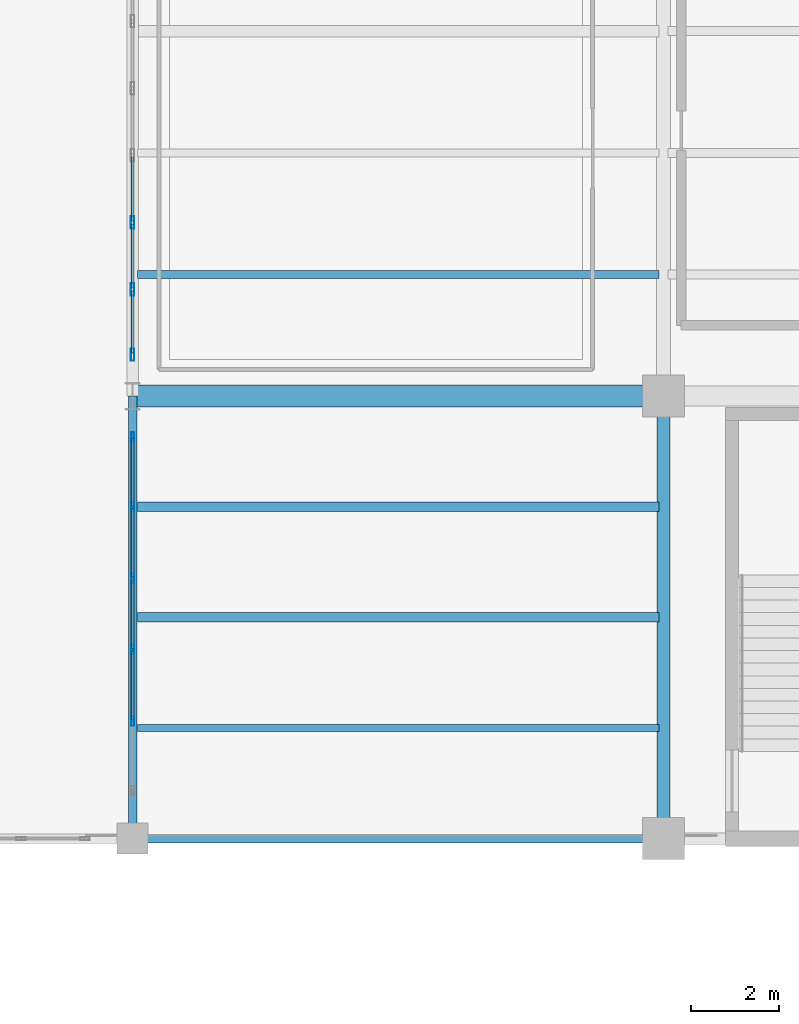
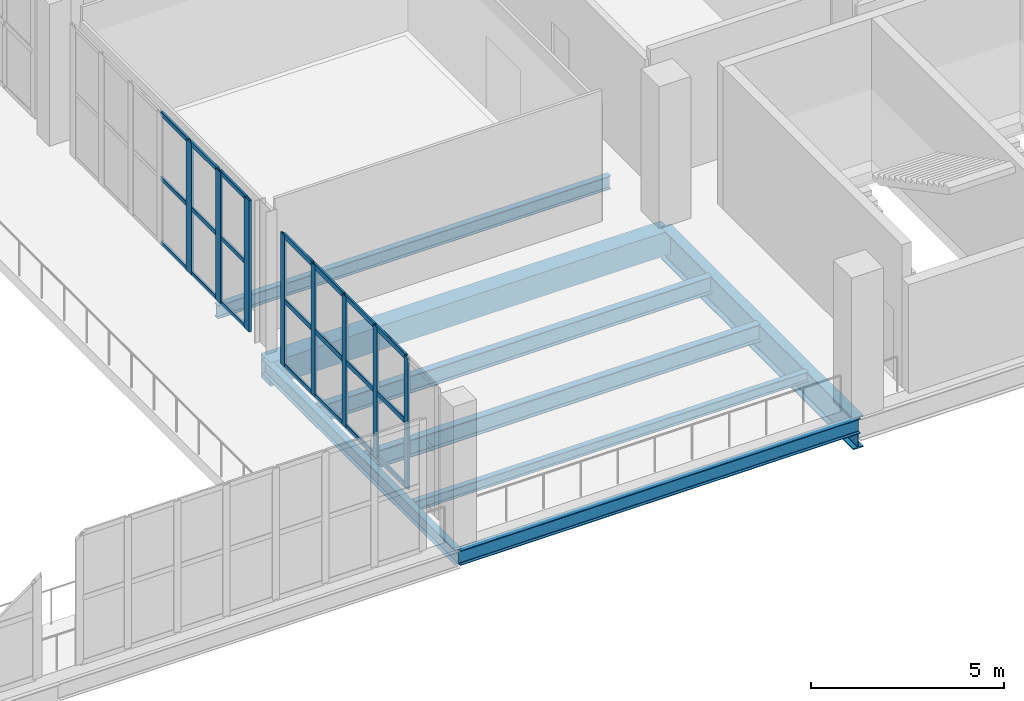
# One storey, part 7 of 90: 29 members, 8 beams, 2 elements without a shape of their own.
"""IFC4 building model written with IfcOpenShell, lengths in metres."""

from ifc_helpers import new_model, si_unit, direction, frame, origin, origin_2d, place, context, subcontext, project, spatial, rectangle, hollow_rectangle, i_section, extrude, material, layer, layer_set, material_profile, profile_set, type_object, element, aggregate, save


model = new_model("IFC4")

# Units and contexts
model_context = context("Model", 3, precision=1e-05, world=origin(), true_north=direction((0.0, 1.0)))
body_context = subcontext(model_context, "Body", "Model", "MODEL_VIEW")
ifc_project = project(units=[si_unit("LENGTHUNIT", "METRE"), si_unit("AREAUNIT", "SQUARE_METRE"), si_unit("VOLUMEUNIT", "CUBIC_METRE"), si_unit("PLANEANGLEUNIT", "RADIAN"), si_unit("MASSUNIT", "GRAM", prefix="KILO")], contexts=[model_context])

# Site, building, storey
site_placement = place(None, origin())
site = spatial("IfcSite", under=ifc_project, at=site_placement, CompositionType="ELEMENT")
building_placement = place(site_placement, origin())
building = spatial("IfcBuilding", under=site, at=building_placement, Name="Brinegate Civic Arena", CompositionType="ELEMENT")
storey_placement = place(building_placement, frame((0.0, 0.0, 14.699951171875)))
storey = spatial("IfcBuildingStorey", under=building, at=storey_placement, Name="L03", CompositionType="ELEMENT", Elevation=14.699951171875)

# Curtain wall, members
ifc_material_1 = material(Name="Marine grade aluminium", Category="aluminium")
ifc_layer = layer(ifc_material_1, 0.199951171875, Name="Marine grade aluminium")
ifc_layer_set = layer_set([ifc_layer], Name="Marine grade aluminium")
curtain_wall_type = type_object("IfcCurtainWallType", Name="CW-BOWL-GLAZED-01", PredefinedType="USERDEFINED", material=ifc_layer_set)
curtain_wall_1_placement = place(storey_placement, origin())
curtain_wall_1 = element("IfcCurtainWall", 1, at=curtain_wall_1_placement, inside=storey, type_object=curtain_wall_type, Name="Curtain Wall CWA-105", ObjectType="GLAZED CURTAIN WALL", PredefinedType="USERDEFINED")
ifc_material_profile_1 = material_profile(ifc_material_1, hollow_rectangle(XDim=0.06494140625, YDim=0.219970703125, WallThickness=0.006103515625, InnerFilletRadius=0.00390625, OuterFilletRadius=0.008056640625, at=origin_2d()), Name="MUL65X220")
ifc_profile_set_1 = profile_set([ifc_material_profile_1], Name="Marine grade aluminium")
member_type_1 = type_object("IfcMemberType", Name="CW-MULLION-65X220", PredefinedType="MULLION", material=ifc_profile_set_1)
member_1_placement = place(storey_placement, frame((48.0, 12.65673828125, 0.0), z_axis=(0.0, 0.0, 1.0), x_axis=(-1.0, 0.0, 0.0)))
member_1 = element("IfcMember", 2, at=member_1_placement, type_object=member_type_1, Name="CWA-105 mullion 2", PredefinedType="MULLION", context=body_context, shape_type="SweptSolid", body=[
    extrude(hollow_rectangle(XDim=0.06494140625, YDim=0.219970703125, WallThickness=0.006103515625, InnerFilletRadius=0.00390625, OuterFilletRadius=0.008056640625, at=origin_2d()), origin(), (0.0, 0.0, 1.0), 4.16015625),
])
member_2_placement = place(storey_placement, frame((48.0, 14.2685546875, 0.0), z_axis=(0.0, 0.0, 1.0), x_axis=(-1.0, 0.0, 0.0)))
member_2 = element("IfcMember", 3, at=member_2_placement, type_object=member_type_1, Name="CWA-105 mullion 3", PredefinedType="MULLION", context=body_context, shape_type="SweptSolid", body=[
    extrude(hollow_rectangle(XDim=0.06494140625, YDim=0.219970703125, WallThickness=0.006103515625, InnerFilletRadius=0.00390625, OuterFilletRadius=0.008056640625, at=origin_2d()), origin(), (0.0, 0.0, 1.0), 4.16015625),
])
member_3_placement = place(storey_placement, frame((48.0, 15.88037109375, 0.0), z_axis=(0.0, 0.0, 1.0), x_axis=(-1.0, 0.0, 0.0)))
member_3 = element("IfcMember", 4, at=member_3_placement, type_object=member_type_1, Name="CWA-105 mullion 4", PredefinedType="MULLION", context=body_context, shape_type="SweptSolid", body=[
    extrude(hollow_rectangle(XDim=0.06494140625, YDim=0.219970703125, WallThickness=0.006103515625, InnerFilletRadius=0.00390625, OuterFilletRadius=0.008056640625, at=origin_2d()), origin(), (0.0, 0.0, 1.0), 4.16015625),
])
member_4_placement = place(storey_placement, frame((48.0, 17.4921875, 0.0), z_axis=(0.0, 0.0, 1.0), x_axis=(-1.0, 0.0, 0.0)))
member_4 = element("IfcMember", 5, at=member_4_placement, type_object=member_type_1, Name="CWA-105 mullion 5", PredefinedType="MULLION", context=body_context, shape_type="SweptSolid", body=[
    extrude(hollow_rectangle(XDim=0.06494140625, YDim=0.219970703125, WallThickness=0.006103515625, InnerFilletRadius=0.00390625, OuterFilletRadius=0.008056640625, at=origin_2d()), origin(), (0.0, 0.0, 1.0), 4.16015625),
])
member_5_placement = place(storey_placement, frame((48.0, 19.071533203125, 0.0), z_axis=(0.0, 0.0, 1.0), x_axis=(-1.0, 0.0, 0.0)))
member_5 = element("IfcMember", 6, at=member_5_placement, type_object=member_type_1, Name="CWA-105 mullion 6", PredefinedType="MULLION", context=body_context, shape_type="SweptSolid", body=[
    extrude(hollow_rectangle(XDim=0.06494140625, YDim=0.219970703125, WallThickness=0.006103515625, InnerFilletRadius=0.00390625, OuterFilletRadius=0.008056640625, at=origin_2d()), origin(), (0.0, 0.0, 1.0), 4.16015625),
])

curtain_wall_2_placement = place(storey_placement, origin())
curtain_wall_2 = element("IfcCurtainWall", 7, at=curtain_wall_2_placement, inside=storey, type_object=curtain_wall_type, Name="Curtain Wall CWA-107", ObjectType="GLAZED CURTAIN WALL", PredefinedType="USERDEFINED")
ifc_material_profile_2 = material_profile(ifc_material_1, hollow_rectangle(XDim=0.080078125, YDim=0.280029296875, WallThickness=0.007080078125, InnerFilletRadius=0.0048828125, OuterFilletRadius=0.010009765625, at=origin_2d()), Name="MUL80X280")
ifc_profile_set_2 = profile_set([ifc_material_profile_2], Name="Marine grade aluminium")
member_type_2 = type_object("IfcMemberType", Name="CW-MULLION-80X280", PredefinedType="MULLION", material=ifc_profile_set_2)
member_6_placement = place(storey_placement, frame((48.0, 20.93603515625, 0.0), z_axis=(0.0, 0.0, 1.0), x_axis=(-1.0, 0.0, 0.0)))
member_6 = element("IfcMember", 8, at=member_6_placement, type_object=member_type_2, Name="CWA-107 mullion 1", PredefinedType="MULLION", context=body_context, shape_type="SweptSolid", body=[
    extrude(hollow_rectangle(XDim=0.080078125, YDim=0.280029296875, WallThickness=0.007080078125, InnerFilletRadius=0.0048828125, OuterFilletRadius=0.010009765625, at=origin_2d()), origin(), (0.0, 0.0, 1.0), 4.16015625),
])
member_7_placement = place(storey_placement, frame((48.0, 22.41162109375, 0.0), z_axis=(0.0, 0.0, 1.0), x_axis=(-1.0, 0.0, 0.0)))
member_7 = element("IfcMember", 9, at=member_7_placement, type_object=member_type_2, Name="CWA-107 mullion 2", PredefinedType="MULLION", context=body_context, shape_type="SweptSolid", body=[
    extrude(hollow_rectangle(XDim=0.080078125, YDim=0.280029296875, WallThickness=0.007080078125, InnerFilletRadius=0.0048828125, OuterFilletRadius=0.010009765625, at=origin_2d()), origin(), (0.0, 0.0, 1.0), 4.16015625),
])
member_8_placement = place(storey_placement, frame((48.0, 23.92724609375, 0.0), z_axis=(0.0, 0.0, 1.0), x_axis=(-1.0, 0.0, 0.0)))
member_8 = element("IfcMember", 10, at=member_8_placement, type_object=member_type_2, Name="CWA-107 mullion 3", PredefinedType="MULLION", context=body_context, shape_type="SweptSolid", body=[
    extrude(hollow_rectangle(XDim=0.080078125, YDim=0.280029296875, WallThickness=0.007080078125, InnerFilletRadius=0.0048828125, OuterFilletRadius=0.010009765625, at=origin_2d()), origin(), (0.0, 0.0, 1.0), 4.16015625),
])
ifc_material_profile_3 = material_profile(ifc_material_1, hollow_rectangle(XDim=0.06494140625, YDim=0.139892578125, WallThickness=0.0048828125, InnerFilletRadius=0.00390625, OuterFilletRadius=0.008056640625, at=origin_2d()), Name="TRN65X140")
ifc_profile_set_3 = profile_set([ifc_material_profile_3], Name="Marine grade aluminium")
member_type_3 = type_object("IfcMemberType", Name="CW-TRANSOM-65X140", PredefinedType="USERDEFINED", material=ifc_profile_set_3)
member_9_placement = place(storey_placement, frame((48.0, 20.97607421875, 0.032470703125), z_axis=(0.0, 1.0, 0.0), x_axis=(-1.0, 0.0, 0.0)))
member_9 = element("IfcMember", 11, at=member_9_placement, type_object=member_type_3, Name="CWA-107 transom 1.1", ObjectType="TRANSOM", PredefinedType="USERDEFINED", context=body_context, shape_type="SweptSolid", body=[
    extrude(hollow_rectangle(XDim=0.06494140625, YDim=0.139892578125, WallThickness=0.0048828125, InnerFilletRadius=0.00390625, OuterFilletRadius=0.008056640625, at=origin_2d()), origin(), (0.0, 0.0, 1.0), 1.3955078125),
])
member_10_placement = place(storey_placement, frame((48.0, 20.97607421875, 2.080078125), z_axis=(0.0, 1.0, 0.0), x_axis=(-1.0, 0.0, 0.0)))
member_10 = element("IfcMember", 12, at=member_10_placement, type_object=member_type_3, Name="CWA-107 transom 1.2", ObjectType="TRANSOM", PredefinedType="USERDEFINED", context=body_context, shape_type="SweptSolid", body=[
    extrude(hollow_rectangle(XDim=0.06494140625, YDim=0.139892578125, WallThickness=0.0048828125, InnerFilletRadius=0.00390625, OuterFilletRadius=0.008056640625, at=origin_2d()), origin(), (0.0, 0.0, 1.0), 1.3955078125),
])
member_11_placement = place(storey_placement, frame((48.0, 20.97607421875, 4.12744140625), z_axis=(0.0, 1.0, 0.0), x_axis=(-1.0, 0.0, 0.0)))
member_11 = element("IfcMember", 13, at=member_11_placement, type_object=member_type_3, Name="CWA-107 transom 1.3", ObjectType="TRANSOM", PredefinedType="USERDEFINED", context=body_context, shape_type="SweptSolid", body=[
    extrude(hollow_rectangle(XDim=0.06494140625, YDim=0.139892578125, WallThickness=0.0048828125, InnerFilletRadius=0.00390625, OuterFilletRadius=0.008056640625, at=origin_2d()), origin(), (0.0, 0.0, 1.0), 1.3955078125),
])
member_12_placement = place(storey_placement, frame((48.0, 22.45166015625, 0.032470703125), z_axis=(0.0, 1.0, 0.0), x_axis=(-1.0, 0.0, 0.0)))
member_12 = element("IfcMember", 14, at=member_12_placement, type_object=member_type_3, Name="CWA-107 transom 2.1", ObjectType="TRANSOM", PredefinedType="USERDEFINED", context=body_context, shape_type="SweptSolid", body=[
    extrude(hollow_rectangle(XDim=0.06494140625, YDim=0.139892578125, WallThickness=0.0048828125, InnerFilletRadius=0.00390625, OuterFilletRadius=0.008056640625, at=origin_2d()), origin(), (0.0, 0.0, 1.0), 1.435791015625),
])
member_13_placement = place(storey_placement, frame((48.0, 22.45166015625, 2.080078125), z_axis=(0.0, 1.0, 0.0), x_axis=(-1.0, 0.0, 0.0)))
member_13 = element("IfcMember", 15, at=member_13_placement, type_object=member_type_3, Name="CWA-107 transom 2.2", ObjectType="TRANSOM", PredefinedType="USERDEFINED", context=body_context, shape_type="SweptSolid", body=[
    extrude(hollow_rectangle(XDim=0.06494140625, YDim=0.139892578125, WallThickness=0.0048828125, InnerFilletRadius=0.00390625, OuterFilletRadius=0.008056640625, at=origin_2d()), origin(), (0.0, 0.0, 1.0), 1.435791015625),
])
member_14_placement = place(storey_placement, frame((48.0, 22.45166015625, 4.12744140625), z_axis=(0.0, 1.0, 0.0), x_axis=(-1.0, 0.0, 0.0)))
member_14 = element("IfcMember", 16, at=member_14_placement, type_object=member_type_3, Name="CWA-107 transom 2.3", ObjectType="TRANSOM", PredefinedType="USERDEFINED", context=body_context, shape_type="SweptSolid", body=[
    extrude(hollow_rectangle(XDim=0.06494140625, YDim=0.139892578125, WallThickness=0.0048828125, InnerFilletRadius=0.00390625, OuterFilletRadius=0.008056640625, at=origin_2d()), origin(), (0.0, 0.0, 1.0), 1.435791015625),
])
member_15_placement = place(storey_placement, frame((48.0, 23.96728515625, 0.032470703125), z_axis=(0.0, 1.0, 0.0), x_axis=(-1.0, 0.0, 0.0)))
member_15 = element("IfcMember", 17, at=member_15_placement, type_object=member_type_3, Name="CWA-107 transom 3.1", ObjectType="TRANSOM", PredefinedType="USERDEFINED", context=body_context, shape_type="SweptSolid", body=[
    extrude(hollow_rectangle(XDim=0.06494140625, YDim=0.139892578125, WallThickness=0.0048828125, InnerFilletRadius=0.00390625, OuterFilletRadius=0.008056640625, at=origin_2d()), origin(), (0.0, 0.0, 1.0), 1.435791015625),
])
member_16_placement = place(storey_placement, frame((48.0, 23.96728515625, 2.080078125), z_axis=(0.0, 1.0, 0.0), x_axis=(-1.0, 0.0, 0.0)))
member_16 = element("IfcMember", 18, at=member_16_placement, type_object=member_type_3, Name="CWA-107 transom 3.2", ObjectType="TRANSOM", PredefinedType="USERDEFINED", context=body_context, shape_type="SweptSolid", body=[
    extrude(hollow_rectangle(XDim=0.06494140625, YDim=0.139892578125, WallThickness=0.0048828125, InnerFilletRadius=0.00390625, OuterFilletRadius=0.008056640625, at=origin_2d()), origin(), (0.0, 0.0, 1.0), 1.435791015625),
])
member_17_placement = place(storey_placement, frame((48.0, 23.96728515625, 4.12744140625), z_axis=(0.0, 1.0, 0.0), x_axis=(-1.0, 0.0, 0.0)))
member_17 = element("IfcMember", 19, at=member_17_placement, type_object=member_type_3, Name="CWA-107 transom 3.3", ObjectType="TRANSOM", PredefinedType="USERDEFINED", context=body_context, shape_type="SweptSolid", body=[
    extrude(hollow_rectangle(XDim=0.06494140625, YDim=0.139892578125, WallThickness=0.0048828125, InnerFilletRadius=0.00390625, OuterFilletRadius=0.008056640625, at=origin_2d()), origin(), (0.0, 0.0, 1.0), 1.435791015625),
])
aggregate(curtain_wall_2, [member_6, member_7, member_8, member_9, member_10, member_11, member_12, member_13, member_14, member_15, member_16, member_17])

# Member
ifc_material_profile_4 = material_profile(ifc_material_1, hollow_rectangle(XDim=0.06494140625, YDim=0.1650390625, WallThickness=0.0048828125, InnerFilletRadius=0.00390625, OuterFilletRadius=0.008056640625, at=origin_2d()), Name="TRN65X165")
ifc_profile_set_4 = profile_set([ifc_material_profile_4], Name="Marine grade aluminium")
member_type_4 = type_object("IfcMemberType", Name="CW-TRANSOM-65X165", PredefinedType="USERDEFINED", material=ifc_profile_set_4)
member_18_placement = place(storey_placement, frame((48.0, 12.689208984375, 0.032470703125), z_axis=(0.0, 1.0, 0.0), x_axis=(-1.0, 0.0, 0.0)))
member_18 = element("IfcMember", 20, at=member_18_placement, type_object=member_type_4, Name="CWA-105 transom 2.1", ObjectType="TRANSOM", PredefinedType="USERDEFINED", context=body_context, shape_type="SweptSolid", body=[
    extrude(hollow_rectangle(XDim=0.06494140625, YDim=0.1650390625, WallThickness=0.0048828125, InnerFilletRadius=0.00390625, OuterFilletRadius=0.008056640625, at=origin_2d()), origin(), (0.0, 0.0, 1.0), 1.546875),
])

member_19_placement = place(storey_placement, frame((48.0, 12.689208984375, 2.080078125), z_axis=(0.0, 1.0, 0.0), x_axis=(-1.0, 0.0, 0.0)))
member_19 = element("IfcMember", 21, at=member_19_placement, type_object=member_type_4, Name="CWA-105 transom 2.2", ObjectType="TRANSOM", PredefinedType="USERDEFINED", context=body_context, shape_type="SweptSolid", body=[
    extrude(hollow_rectangle(XDim=0.06494140625, YDim=0.1650390625, WallThickness=0.0048828125, InnerFilletRadius=0.00390625, OuterFilletRadius=0.008056640625, at=origin_2d()), origin(), (0.0, 0.0, 1.0), 1.546875),
])

member_20_placement = place(storey_placement, frame((48.0, 12.689208984375, 4.12744140625), z_axis=(0.0, 1.0, 0.0), x_axis=(-1.0, 0.0, 0.0)))
member_20 = element("IfcMember", 22, at=member_20_placement, type_object=member_type_4, Name="CWA-105 transom 2.3", ObjectType="TRANSOM", PredefinedType="USERDEFINED", context=body_context, shape_type="SweptSolid", body=[
    extrude(hollow_rectangle(XDim=0.06494140625, YDim=0.1650390625, WallThickness=0.0048828125, InnerFilletRadius=0.00390625, OuterFilletRadius=0.008056640625, at=origin_2d()), origin(), (0.0, 0.0, 1.0), 1.546875),
])

member_21_placement = place(storey_placement, frame((48.0, 14.301025390625, 0.032470703125), z_axis=(0.0, 1.0, 0.0), x_axis=(-1.0, 0.0, 0.0)))
member_21 = element("IfcMember", 23, at=member_21_placement, type_object=member_type_4, Name="CWA-105 transom 3.1", ObjectType="TRANSOM", PredefinedType="USERDEFINED", context=body_context, shape_type="SweptSolid", body=[
    extrude(hollow_rectangle(XDim=0.06494140625, YDim=0.1650390625, WallThickness=0.0048828125, InnerFilletRadius=0.00390625, OuterFilletRadius=0.008056640625, at=origin_2d()), origin(), (0.0, 0.0, 1.0), 1.546875),
])

member_22_placement = place(storey_placement, frame((48.0, 14.301025390625, 2.080078125), z_axis=(0.0, 1.0, 0.0), x_axis=(-1.0, 0.0, 0.0)))
member_22 = element("IfcMember", 24, at=member_22_placement, type_object=member_type_4, Name="CWA-105 transom 3.2", ObjectType="TRANSOM", PredefinedType="USERDEFINED", context=body_context, shape_type="SweptSolid", body=[
    extrude(hollow_rectangle(XDim=0.06494140625, YDim=0.1650390625, WallThickness=0.0048828125, InnerFilletRadius=0.00390625, OuterFilletRadius=0.008056640625, at=origin_2d()), origin(), (0.0, 0.0, 1.0), 1.546875),
])

member_23_placement = place(storey_placement, frame((48.0, 14.301025390625, 4.12744140625), z_axis=(0.0, 1.0, 0.0), x_axis=(-1.0, 0.0, 0.0)))
member_23 = element("IfcMember", 25, at=member_23_placement, type_object=member_type_4, Name="CWA-105 transom 3.3", ObjectType="TRANSOM", PredefinedType="USERDEFINED", context=body_context, shape_type="SweptSolid", body=[
    extrude(hollow_rectangle(XDim=0.06494140625, YDim=0.1650390625, WallThickness=0.0048828125, InnerFilletRadius=0.00390625, OuterFilletRadius=0.008056640625, at=origin_2d()), origin(), (0.0, 0.0, 1.0), 1.546875),
])

member_24_placement = place(storey_placement, frame((48.0, 15.912841796875, 0.032470703125), z_axis=(0.0, 1.0, 0.0), x_axis=(-1.0, 0.0, 0.0)))
member_24 = element("IfcMember", 26, at=member_24_placement, type_object=member_type_4, Name="CWA-105 transom 4.1", ObjectType="TRANSOM", PredefinedType="USERDEFINED", context=body_context, shape_type="SweptSolid", body=[
    extrude(hollow_rectangle(XDim=0.06494140625, YDim=0.1650390625, WallThickness=0.0048828125, InnerFilletRadius=0.00390625, OuterFilletRadius=0.008056640625, at=origin_2d()), origin(), (0.0, 0.0, 1.0), 1.546875),
])

member_25_placement = place(storey_placement, frame((48.0, 15.912841796875, 2.080078125), z_axis=(0.0, 1.0, 0.0), x_axis=(-1.0, 0.0, 0.0)))
member_25 = element("IfcMember", 27, at=member_25_placement, type_object=member_type_4, Name="CWA-105 transom 4.2", ObjectType="TRANSOM", PredefinedType="USERDEFINED", context=body_context, shape_type="SweptSolid", body=[
    extrude(hollow_rectangle(XDim=0.06494140625, YDim=0.1650390625, WallThickness=0.0048828125, InnerFilletRadius=0.00390625, OuterFilletRadius=0.008056640625, at=origin_2d()), origin(), (0.0, 0.0, 1.0), 1.546875),
])

member_26_placement = place(storey_placement, frame((48.0, 15.912841796875, 4.12744140625), z_axis=(0.0, 1.0, 0.0), x_axis=(-1.0, 0.0, 0.0)))
member_26 = element("IfcMember", 28, at=member_26_placement, type_object=member_type_4, Name="CWA-105 transom 4.3", ObjectType="TRANSOM", PredefinedType="USERDEFINED", context=body_context, shape_type="SweptSolid", body=[
    extrude(hollow_rectangle(XDim=0.06494140625, YDim=0.1650390625, WallThickness=0.0048828125, InnerFilletRadius=0.00390625, OuterFilletRadius=0.008056640625, at=origin_2d()), origin(), (0.0, 0.0, 1.0), 1.546875),
])

member_27_placement = place(storey_placement, frame((48.0, 17.524658203125, 0.032470703125), z_axis=(0.0, 1.0, 0.0), x_axis=(-1.0, 0.0, 0.0)))
member_27 = element("IfcMember", 29, at=member_27_placement, type_object=member_type_4, Name="CWA-105 transom 5.1", ObjectType="TRANSOM", PredefinedType="USERDEFINED", context=body_context, shape_type="SweptSolid", body=[
    extrude(hollow_rectangle(XDim=0.06494140625, YDim=0.1650390625, WallThickness=0.0048828125, InnerFilletRadius=0.00390625, OuterFilletRadius=0.008056640625, at=origin_2d()), origin(), (0.0, 0.0, 1.0), 1.514404296875),
])

member_28_placement = place(storey_placement, frame((48.0, 17.524658203125, 2.080078125), z_axis=(0.0, 1.0, 0.0), x_axis=(-1.0, 0.0, 0.0)))
member_28 = element("IfcMember", 30, at=member_28_placement, type_object=member_type_4, Name="CWA-105 transom 5.2", ObjectType="TRANSOM", PredefinedType="USERDEFINED", context=body_context, shape_type="SweptSolid", body=[
    extrude(hollow_rectangle(XDim=0.06494140625, YDim=0.1650390625, WallThickness=0.0048828125, InnerFilletRadius=0.00390625, OuterFilletRadius=0.008056640625, at=origin_2d()), origin(), (0.0, 0.0, 1.0), 1.514404296875),
])

member_29_placement = place(storey_placement, frame((48.0, 17.524658203125, 4.12744140625), z_axis=(0.0, 1.0, 0.0), x_axis=(-1.0, 0.0, 0.0)))
member_29 = element("IfcMember", 31, at=member_29_placement, type_object=member_type_4, Name="CWA-105 transom 5.3", ObjectType="TRANSOM", PredefinedType="USERDEFINED", context=body_context, shape_type="SweptSolid", body=[
    extrude(hollow_rectangle(XDim=0.06494140625, YDim=0.1650390625, WallThickness=0.0048828125, InnerFilletRadius=0.00390625, OuterFilletRadius=0.008056640625, at=origin_2d()), origin(), (0.0, 0.0, 1.0), 1.514404296875),
])

aggregate(curtain_wall_1, [member_1, member_2, member_3, member_4, member_5, member_18, member_19, member_20, member_21, member_22, member_23, member_24, member_25, member_26, member_27, member_28, member_29])

# Beams
ifc_material_2 = material(Name="Steel S355", Category="steel")
ifc_material_profile_5 = material_profile(ifc_material_2, i_section(OverallWidth=0.300048828125, OverallDepth=1.0, WebThickness=0.01904296875, FlangeThickness=0.031982421875, FilletRadius=0.02392578125, at=origin_2d()), Name="W1000X321")
ifc_profile_set_5 = profile_set([ifc_material_profile_5], Name="Steel S355")
beam_type_1 = type_object("IfcBeamType", Name="GIRDER-W1000X321", PredefinedType="BEAM", material=ifc_profile_set_5)
beam_1_placement = place(storey_placement, frame((60.0, 10.0, -0.849853515625), z_axis=(0.0, 1.0, 0.0), x_axis=(-1.0, 0.0, 0.0)))
element("IfcBeam", 32, at=beam_1_placement, inside=storey, type_object=beam_type_1, Name="Floor Girder BM-L03-GY-05-01", PredefinedType="BEAM", context=body_context, shape_type="SweptSolid", body=[
    extrude(i_section(OverallWidth=0.300048828125, OverallDepth=1.0, WebThickness=0.01904296875, FlangeThickness=0.031982421875, FilletRadius=0.02392578125, at=origin_2d()), origin(), (0.0, 0.0, 1.0), 10.0),
])
ifc_material_profile_6 = material_profile(ifc_material_2, i_section(OverallWidth=0.1669921875, OverallDepth=0.31689453125, WebThickness=0.008056640625, FlangeThickness=0.012939453125, FilletRadius=0.012939453125, at=origin_2d()), Name="W310X52")
ifc_profile_set_6 = profile_set([ifc_material_profile_6], Name="Steel S355")
beam_type_2 = type_object("IfcBeamType", Name="JOIST-W310X52", PredefinedType="JOIST", material=ifc_profile_set_6)
beam_2_placement = place(storey_placement, frame((48.10595703125, 12.5, -0.508056640625), z_axis=(1.0, 0.0, 0.0), x_axis=(0.0, 1.0, 0.0)))
element("IfcBeam", 33, at=beam_2_placement, inside=storey, type_object=beam_type_2, Name="Secondary Joist BM-L03-JX-04-01-1", PredefinedType="JOIST", context=body_context, shape_type="SweptSolid", body=[
    extrude(i_section(OverallWidth=0.1669921875, OverallDepth=0.31689453125, WebThickness=0.008056640625, FlangeThickness=0.012939453125, FilletRadius=0.012939453125, at=origin_2d()), origin(), (0.0, 0.0, 1.0), 11.7880859375),
])
ifc_material_profile_7 = material_profile(ifc_material_2, i_section(OverallWidth=0.180908203125, OverallDepth=0.4169921875, WebThickness=0.010986328125, FlangeThickness=0.01806640625, FilletRadius=0.013916015625, at=origin_2d()), Name="W410X85")
ifc_profile_set_7 = profile_set([ifc_material_profile_7], Name="Steel S355")
beam_type_3 = type_object("IfcBeamType", Name="JOIST-W410X85", PredefinedType="JOIST", material=ifc_profile_set_7)
beam_3_placement = place(storey_placement, frame((48.10595703125, 22.75, -0.557861328125), z_axis=(1.0, 0.0, 0.0), x_axis=(0.0, 1.0, 0.0)))
element("IfcBeam", 34, at=beam_3_placement, inside=storey, type_object=beam_type_3, Name="Secondary Joist BM-L03-JX-04-02-1", PredefinedType="JOIST", context=body_context, shape_type="SweptSolid", body=[
    extrude(i_section(OverallWidth=0.180908203125, OverallDepth=0.4169921875, WebThickness=0.010986328125, FlangeThickness=0.01806640625, FilletRadius=0.013916015625, at=origin_2d()), origin(), (0.0, 0.0, 1.0), 11.7880859375),
])
ifc_material_profile_8 = material_profile(ifc_material_2, i_section(OverallWidth=0.2109375, OverallDepth=0.5390625, WebThickness=0.011962890625, FlangeThickness=0.01904296875, FilletRadius=0.01611328125, at=origin_2d()), Name="W530X109")
ifc_profile_set_8 = profile_set([ifc_material_profile_8], Name="Steel S355")
beam_type_4 = type_object("IfcBeamType", Name="JOIST-W530X109", PredefinedType="JOIST", material=ifc_profile_set_8)
beam_4_placement = place(storey_placement, frame((48.10595703125, 17.5, -0.618896484375), z_axis=(1.0, 0.0, 0.0), x_axis=(0.0, 1.0, 0.0)))
element("IfcBeam", 35, at=beam_4_placement, inside=storey, type_object=beam_type_4, Name="Secondary Joist BM-L03-JX-04-01-3", PredefinedType="JOIST", context=body_context, shape_type="SweptSolid", body=[
    extrude(i_section(OverallWidth=0.2109375, OverallDepth=0.5390625, WebThickness=0.011962890625, FlangeThickness=0.01904296875, FilletRadius=0.01611328125, at=origin_2d()), origin(), (0.0, 0.0, 1.0), 11.7880859375),
])
ifc_material_profile_9 = material_profile(ifc_material_2, i_section(OverallWidth=0.214111328125, OverallDepth=0.549072265625, WebThickness=0.014892578125, FlangeThickness=0.02392578125, FilletRadius=0.01611328125, at=origin_2d()), Name="W530X138")
ifc_profile_set_9 = profile_set([ifc_material_profile_9], Name="Steel S355")
beam_type_5 = type_object("IfcBeamType", Name="JOIST-W530X138", PredefinedType="JOIST", material=ifc_profile_set_9)
beam_5_placement = place(storey_placement, frame((48.10595703125, 15.0, -0.6240234375), z_axis=(1.0, 0.0, 0.0), x_axis=(0.0, 1.0, 0.0)))
element("IfcBeam", 36, at=beam_5_placement, inside=storey, type_object=beam_type_5, Name="Secondary Joist BM-L03-JX-04-01-2", PredefinedType="JOIST", context=body_context, shape_type="SweptSolid", body=[
    extrude(i_section(OverallWidth=0.214111328125, OverallDepth=0.549072265625, WebThickness=0.014892578125, FlangeThickness=0.02392578125, FilletRadius=0.01611328125, at=origin_2d()), origin(), (0.0, 0.0, 1.0), 11.7880859375),
])
ifc_material_3 = material(Name="Concrete C50/60", Category="concrete")
ifc_material_profile_10 = material_profile(ifc_material_3, rectangle(XDim=0.5, YDim=0.75, at=origin_2d()), Name="RCB500X750")
ifc_profile_set_10 = profile_set([ifc_material_profile_10], Name="Concrete C50/60")
beam_type_6 = type_object("IfcBeamType", Name="RCG-500X750", PredefinedType="BEAM", material=ifc_profile_set_10)
beam_6_placement = place(storey_placement, frame((48.0, 20.0, -0.724853515625), z_axis=(1.0, 0.0, 0.0), x_axis=(0.0, 1.0, 0.0)))
element("IfcBeam", 37, at=beam_6_placement, inside=storey, type_object=beam_type_6, Name="Floor Girder BM-L03-GX-04-02", PredefinedType="BEAM", context=body_context, shape_type="SweptSolid", body=[
    extrude(rectangle(XDim=0.5, YDim=0.75, at=origin_2d()), origin(), (0.0, 0.0, 1.0), 12.0),
])
ifc_material_profile_11 = material_profile(ifc_material_2, i_section(OverallWidth=0.193115234375, OverallDepth=0.466064453125, WebThickness=0.010986328125, FlangeThickness=0.01904296875, FilletRadius=0.014892578125, at=origin_2d()), Name="W460X97")
ifc_profile_set_11 = profile_set([ifc_material_profile_11], Name="Steel S355")
beam_type_7 = type_object("IfcBeamType", Name="SPANDREL-W460X97", PredefinedType="SPANDREL", material=ifc_profile_set_11)
beam_7_placement = place(storey_placement, frame((48.0, 10.0, -0.5830078125), z_axis=(1.0, 0.0, 0.0), x_axis=(0.0, 1.0, 0.0)))
element("IfcBeam", 38, at=beam_7_placement, inside=storey, type_object=beam_type_7, Name="Floor Girder BM-L03-GX-04-01", PredefinedType="SPANDREL", context=body_context, shape_type="SweptSolid", body=[
    extrude(i_section(OverallWidth=0.193115234375, OverallDepth=0.466064453125, WebThickness=0.010986328125, FlangeThickness=0.01904296875, FilletRadius=0.014892578125, at=origin_2d()), origin(), (0.0, 0.0, 1.0), 12.0),
])
beam_8_placement = place(storey_placement, frame((48.0, 10.0, -0.5830078125), z_axis=(0.0, 1.0, 0.0), x_axis=(-1.0, 0.0, 0.0)))
element("IfcBeam", 39, at=beam_8_placement, inside=storey, type_object=beam_type_7, Name="Floor Girder BM-L03-GY-04-01", PredefinedType="SPANDREL", context=body_context, shape_type="SweptSolid", body=[
    extrude(i_section(OverallWidth=0.193115234375, OverallDepth=0.466064453125, WebThickness=0.010986328125, FlangeThickness=0.01904296875, FilletRadius=0.014892578125, at=origin_2d()), origin(), (0.0, 0.0, 1.0), 10.0),
])

save(model, "model.ifc")
